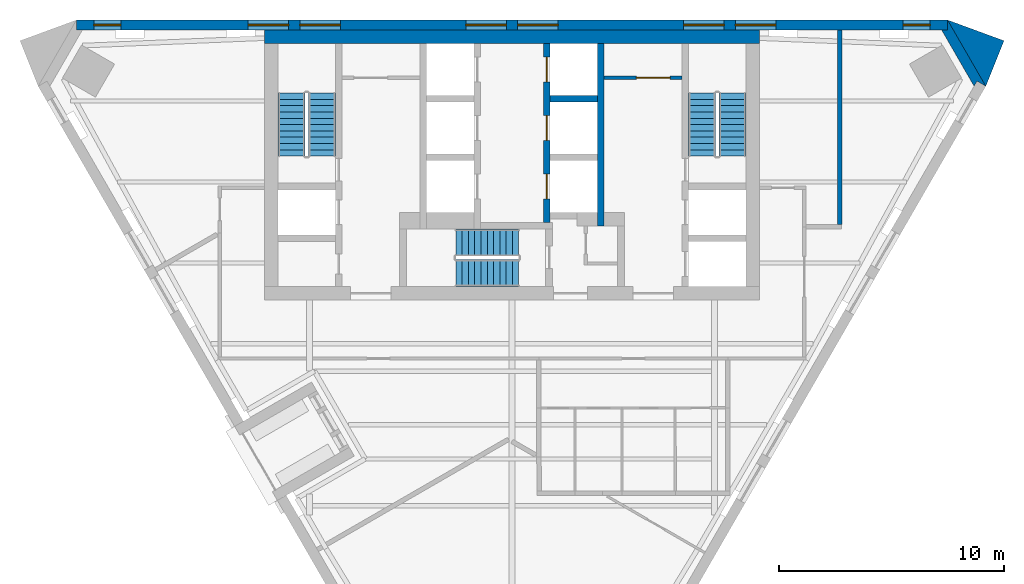
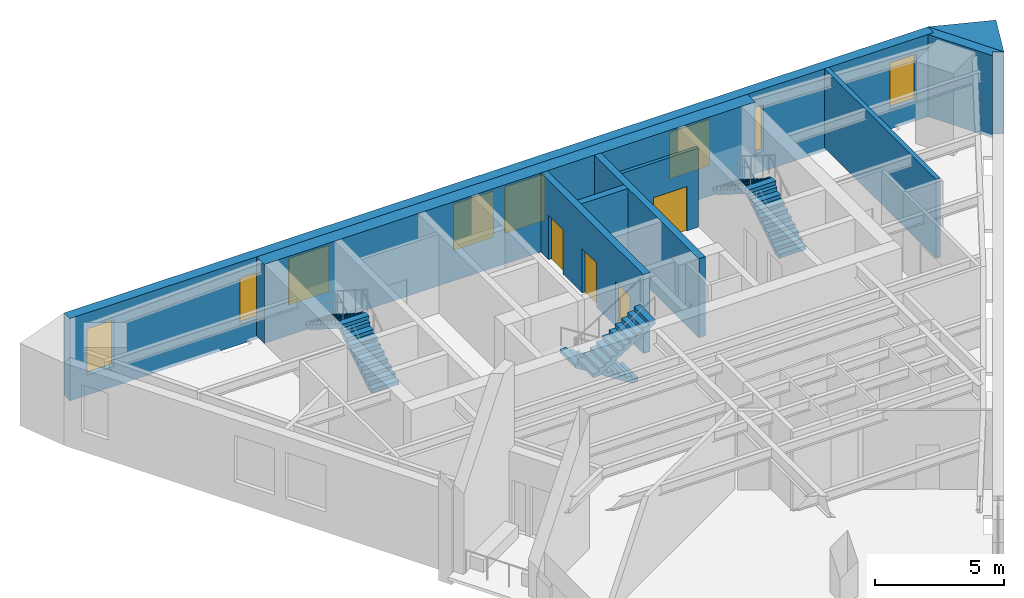
# One storey, part 5 of 6: 9 walls, 8 windows, 6 stair flights, 4 doors, 12 openings, 3 elements without a shape of their own.
"""IFC4 building model written with IfcOpenShell, lengths in metres."""

from ifc_helpers import new_model, si_unit, direction, frame, frame_2d, origin, place, context, subcontext, project, spatial, polyline, rectangle, outline, extrude, material, layer, layer_set, type_object, element, fill, aggregate, save


model = new_model("IFC4")

# Units and contexts
model_context = context("Model", 3, precision=1e-05, world=origin(), true_north=direction((0.0, 1.0)))
body_context = subcontext(model_context, "Body", "Model", "MODEL_VIEW")
ifc_project = project(units=[si_unit("LENGTHUNIT", "METRE"), si_unit("AREAUNIT", "SQUARE_METRE"), si_unit("VOLUMEUNIT", "CUBIC_METRE"), si_unit("PLANEANGLEUNIT", "RADIAN"), si_unit("MASSUNIT", "GRAM", prefix="KILO")], contexts=[model_context])

# Site, building, storey
site_placement = place(None, origin())
site = spatial("IfcSite", under=ifc_project, at=site_placement, CompositionType="ELEMENT")
building_placement = place(site_placement, origin())
building = spatial("IfcBuilding", under=site, at=building_placement, Name="Aloe Facet Convention Tower", CompositionType="ELEMENT")
storey_placement = place(building_placement, frame((0.0, 0.0, 199.699951171875)))
storey = spatial("IfcBuildingStorey", under=building, at=storey_placement, Name="L50", CompositionType="ELEMENT", Elevation=199.699951171875)

# Wall, opening, door
ifc_material_1 = material(Name="Concrete blockwork partition", Category="masonry")
ifc_layer_1 = layer(ifc_material_1, 0.14990234375)
ifc_layer_set_1 = layer_set([ifc_layer_1], Name="CR-W-PART150")
wall_type_1 = type_object("IfcWallType", Name="CR-W-PART150", PredefinedType="PARTITIONING", material=ifc_layer_set_1)
wall_1_placement = place(storey_placement, frame((84.10009765625, 132.425048828125, 0.0), z_axis=(0.0, 0.0, 1.0), x_axis=(1.0, 0.0, 0.0)))
wall_1 = element("IfcWall", 1, at=wall_1_placement, inside=storey, type_object=wall_type_1, Name="Core partition L50-025", PredefinedType="PARTITIONING", context=body_context, shape_type="SweptSolid", body=[
    extrude(rectangle(XDim=3.449951171875, YDim=0.14990234375, at=frame_2d((1.72509765625, 0.0))), origin(), (0.0, 0.0, 1.0), 3.75),
])
opening_1_placement = place(wall_1_placement, frame((1.425048828125, 0.0, 0.0)))
opening_1 = element("IfcOpeningElement", 2, at=opening_1_placement, cuts=wall_1, Name="Opening L50-CD13", PredefinedType="OPENING", context=body_context, shape_type="SweptSolid", body=[
    extrude(rectangle(XDim=1.5, YDim=2.10009765625, at=frame_2d((0.75, 1.050048828125))), frame((0.0, 0.0849609375, 0.0), z_axis=(0.0, -1.0, 0.0), x_axis=(1.0, 0.0, 0.0)), (0.0, 0.0, 1.0), 0.169921875),
])
ifc_material_2 = material(Name="Steel fire-resisting door set FD60", Category="steel")
door_type_1 = type_object("IfcDoorType", Name="CR-D-REFUGE-1500-FD60-DD", OperationType="DOUBLE_DOOR_DOUBLE_SWING", PredefinedType="DOOR", material=ifc_material_2)
door_1_placement = place(opening_1_placement, origin())
door_1 = element("IfcDoor", 3, at=door_1_placement, inside=storey, type_object=door_type_1, Name="Core door L50-CD13", OperationType="DOUBLE_DOOR_DOUBLE_SWING", OverallHeight=2.10009765625, OverallWidth=1.5, PredefinedType="DOOR", context=body_context, shape_type="SweptSolid", body=[
    extrude(rectangle(XDim=1.5, YDim=2.10009765625, at=frame_2d((0.75, 1.050048828125))), frame((0.0, 0.02490234375, 0.0), z_axis=(0.0, -1.0, 0.0), x_axis=(1.0, 0.0, 0.0)), (0.0, 0.0, 1.0), 0.050048828125),
])
fill(opening_1, door_1)

# Wall, openings, doors
ifc_material_3 = material(Name="Concrete C50/60", Category="concrete")
ifc_layer_2 = layer(ifc_material_3, 0.300048828125)
ifc_layer_set_2 = layer_set([ifc_layer_2], Name="CR-W-RC300-C5060")
wall_type_2 = type_object("IfcWallType", Name="CR-W-RC300-C5060", PredefinedType="SOLIDWALL", material=ifc_layer_set_2)
wall_2_placement = place(storey_placement, frame((81.550048828125, 133.949951171875, 0.0), z_axis=(0.0, 0.0, 1.0), x_axis=(0.0, -1.0, 0.0)))
wall_2 = element("IfcWall", 4, at=wall_2_placement, inside=storey, type_object=wall_type_2, Name="Core wall L50-016", PredefinedType="SOLIDWALL", context=body_context, shape_type="SweptSolid", body=[
    extrude(rectangle(XDim=7.949951171875, YDim=0.300048828125, at=frame_2d((3.97509765625, 0.0))), origin(), (0.0, 0.0, 1.0), 3.75),
])
opening_2_placement = place(wall_2_placement, frame((0.60009765625, 0.0, 0.0)))
opening_2 = element("IfcOpeningElement", 5, at=opening_2_placement, cuts=wall_2, Name="Opening LD-B4-L50", PredefinedType="OPENING", context=body_context, shape_type="SweptSolid", body=[
    extrude(rectangle(XDim=1.10009765625, YDim=2.10009765625, at=frame_2d((0.550048828125, 1.050048828125))), frame((0.0, 0.16015625, 0.0), z_axis=(0.0, -1.0, 0.0), x_axis=(1.0, 0.0, 0.0)), (0.0, 0.0, 1.0), 0.320068359375),
])
opening_3_placement = place(wall_2_placement, frame((3.199951171875, 0.0, 0.0)))
opening_3 = element("IfcOpeningElement", 6, at=opening_3_placement, cuts=wall_2, Name="Opening LD-B5-L50", PredefinedType="OPENING", context=body_context, shape_type="SweptSolid", body=[
    extrude(rectangle(XDim=1.10009765625, YDim=2.10009765625, at=frame_2d((0.550048828125, 1.050048828125))), frame((0.0, 0.16015625, 0.0), z_axis=(0.0, -1.0, 0.0), x_axis=(1.0, 0.0, 0.0)), (0.0, 0.0, 1.0), 0.320068359375),
])
opening_4_placement = place(wall_2_placement, frame((5.800048828125, 0.0, 0.0)))
opening_4 = element("IfcOpeningElement", 7, at=opening_4_placement, cuts=wall_2, Name="Opening LD-B6-L50", PredefinedType="OPENING", context=body_context, shape_type="SweptSolid", body=[
    extrude(rectangle(XDim=1.10009765625, YDim=2.10009765625, at=frame_2d((0.550048828125, 1.050048828125))), frame((0.0, 0.16015625, 0.0), z_axis=(0.0, -1.0, 0.0), x_axis=(1.0, 0.0, 0.0)), (0.0, 0.0, 1.0), 0.320068359375),
])
ifc_material_4 = material(Name="Stainless steel sliding landing door", Category="steel")
door_type_2 = type_object("IfcDoorType", Name="CR-LD-1100-FD60-_LEFT", OperationType="SLIDING_TO_LEFT", PredefinedType="DOOR", material=ifc_material_4)
door_2_placement = place(opening_2_placement, origin())
door_2 = element("IfcDoor", 8, at=door_2_placement, inside=storey, type_object=door_type_2, Name="Landing door B4 L50", OperationType="SLIDING_TO_LEFT", OverallHeight=2.10009765625, OverallWidth=1.10009765625, PredefinedType="DOOR", context=body_context, shape_type="SweptSolid", body=[
    extrude(rectangle(XDim=1.10009765625, YDim=2.10009765625, at=frame_2d((0.550048828125, 1.050048828125))), frame((0.0, 0.02490234375, 0.0), z_axis=(0.0, -1.0, 0.0), x_axis=(1.0, 0.0, 0.0)), (0.0, 0.0, 1.0), 0.050048828125),
])
fill(opening_2, door_2)
door_3_placement = place(opening_3_placement, origin())
door_3 = element("IfcDoor", 9, at=door_3_placement, inside=storey, type_object=door_type_2, Name="Landing door B5 L50", OperationType="SLIDING_TO_LEFT", OverallHeight=2.10009765625, OverallWidth=1.10009765625, PredefinedType="DOOR", context=body_context, shape_type="SweptSolid", body=[
    extrude(rectangle(XDim=1.10009765625, YDim=2.10009765625, at=frame_2d((0.550048828125, 1.050048828125))), frame((0.0, 0.02490234375, 0.0), z_axis=(0.0, -1.0, 0.0), x_axis=(1.0, 0.0, 0.0)), (0.0, 0.0, 1.0), 0.050048828125),
])
fill(opening_3, door_3)
door_4_placement = place(opening_4_placement, origin())
door_4 = element("IfcDoor", 10, at=door_4_placement, inside=storey, type_object=door_type_2, Name="Landing door B6 L50", OperationType="SLIDING_TO_LEFT", OverallHeight=2.10009765625, OverallWidth=1.10009765625, PredefinedType="DOOR", context=body_context, shape_type="SweptSolid", body=[
    extrude(rectangle(XDim=1.10009765625, YDim=2.10009765625, at=frame_2d((0.550048828125, 1.050048828125))), frame((0.0, 0.02490234375, 0.0), z_axis=(0.0, -1.0, 0.0), x_axis=(1.0, 0.0, 0.0)), (0.0, 0.0, 1.0), 0.050048828125),
])
fill(opening_4, door_4)

# Walls
wall_3_placement = place(storey_placement, frame((81.699951171875, 131.5, 0.0), z_axis=(0.0, 0.0, 1.0), x_axis=(1.0, 0.0, 0.0)))
element("IfcWall", 11, at=wall_3_placement, inside=storey, type_object=wall_type_2, Name="Core wall L50-018", PredefinedType="SOLIDWALL", context=body_context, shape_type="SweptSolid", body=[
    extrude(rectangle(XDim=2.10009765625, YDim=0.300048828125, at=frame_2d((1.050048828125, 0.0))), origin(), (0.0, 0.0, 1.0), 3.75),
])
wall_4_placement = place(storey_placement, frame((83.949951171875, 133.949951171875, 0.0), z_axis=(0.0, 0.0, 1.0), x_axis=(0.0, -1.0, 0.0)))
element("IfcWall", 12, at=wall_4_placement, inside=storey, type_object=wall_type_2, Name="Core wall L50-024", PredefinedType="SOLIDWALL", context=body_context, shape_type="SweptSolid", body=[
    extrude(rectangle(XDim=8.099853515625, YDim=0.300048828125, at=frame_2d((4.0498046875, 0.0))), origin(), (0.0, 0.0, 1.0), 3.75),
])
ifc_material_5 = material(Name="Concrete C50/60", Category="concrete")
ifc_layer_3 = layer(ifc_material_5, 0.60009765625)
ifc_layer_set_3 = layer_set([ifc_layer_3], Name="CR-W-RC600-C5060")
wall_type_3 = type_object("IfcWallType", Name="CR-W-RC600-C5060", PredefinedType="SOLIDWALL", material=ifc_layer_set_3)
wall_5_placement = place(storey_placement, frame((69.0, 134.25, 0.0), z_axis=(0.0, 0.0, 1.0), x_axis=(1.0, 0.0, 0.0)))
element("IfcWall", 13, at=wall_5_placement, inside=storey, type_object=wall_type_3, Name="Core wall L50-001", PredefinedType="SOLIDWALL", context=body_context, shape_type="SweptSolid", body=[
    extrude(rectangle(XDim=22.0, YDim=0.60009765625, at=frame_2d((11.0, 0.0))), origin(), (0.0, 0.0, 1.0), 3.75),
])
ifc_material_6 = material(Name="Precast concrete C40/50", Category="concrete")
ifc_layer_4 = layer(ifc_material_6, 0.449951171875)
ifc_layer_set_4 = layer_set([ifc_layer_4], Name="EV-WALL-PIER")
wall_type_4 = type_object("IfcWallType", Name="EV-WALL-PIER", PredefinedType="SOLIDWALL", material=ifc_layer_set_4)
wall_6_placement = place(storey_placement, frame((0.0, 0.0, -0.14990234375)))
element("IfcWall", 14, at=wall_6_placement, inside=storey, type_object=wall_type_4, Name="EP-L50-C", PredefinedType="SOLIDWALL", context=body_context, shape_type="SweptSolid", body=[
    extrude(outline(polyline([(101.064697265625, 132.055419921875), (100.6748046875, 132.280517578125), (100.544921875, 132.055419921875), (99.104736328125, 134.550048828125), (99.364501953125, 134.550048828125), (99.364501953125, 135.0), (101.064697265625, 132.055419921875)])), origin(), (0.0, 0.0, 1.0), 3.89990234375),
])
ifc_material_7 = material(Name="Precast concrete C40/50", Category="concrete")
ifc_layer_5 = layer(ifc_material_7, 3.947998046875)
ifc_layer_set_5 = layer_set([ifc_layer_5], Name="EV-WALL-SPINE")
wall_type_5 = type_object("IfcWallType", Name="EV-WALL-SPINE", PredefinedType="SOLIDWALL", material=ifc_layer_set_5)
wall_7_placement = place(storey_placement, frame((0.0, 0.0, -0.14990234375)))
element("IfcWall", 15, at=wall_7_placement, inside=storey, type_object=wall_type_5, Name="SP-NE-L50", PredefinedType="SOLIDWALL", context=body_context, shape_type="SweptSolid", body=[
    extrude(outline(polyline([(101.064697265625, 132.055419921875), (101.8740234375, 134.0791015625), (99.364501953125, 135.0), (101.064697265625, 132.055419921875)])), origin(), (0.0, 0.0, 1.0), 3.89990234375),
])

# Wall, openings, windows
ifc_material_8 = material(Name="Precast concrete C40/50", Category="concrete")
ifc_layer_6 = layer(ifc_material_8, 0.449951171875)
ifc_layer_set_6 = layer_set([ifc_layer_6], Name="EV-WALL-STONE")
wall_type_6 = type_object("IfcWallType", Name="EV-WALL-STONE", PredefinedType="SOLIDWALL", material=ifc_layer_set_6)
wall_8_placement = place(storey_placement, frame((99.364501953125, 134.77490234375, -0.14990234375), z_axis=(0.0, 0.0, 1.0), x_axis=(-1.0, 0.0, 0.0)))
wall_8 = element("IfcWall", 16, at=wall_8_placement, inside=storey, type_object=wall_type_6, Name="EW-L50-N01", PredefinedType="SOLIDWALL", context=body_context, shape_type="SweptSolid", body=[
    extrude(outline(polyline([(38.729248046875, 0.0), (38.729248046875, 3.89990234375), (0.0, 3.89990234375), (0.0, 0.0), (38.729248046875, 0.0)])), frame((0.0, 0.22509765625, 0.0), z_axis=(0.0, -1.0, 0.0), x_axis=(1.0, 0.0, 0.0)), (0.0, 0.0, 1.0), 0.449951171875),
])
opening_5_placement = place(wall_8_placement, frame((0.776123046875, 0.0, 0.949951171875)))
opening_5 = element("IfcOpeningElement", 17, at=opening_5_placement, cuts=wall_8, Name="Opening W-L50-N01", PredefinedType="OPENING", context=body_context, shape_type="SweptSolid", body=[
    extrude(rectangle(XDim=1.199951171875, YDim=2.199951171875, at=frame_2d((0.60009765625, 1.10009765625))), frame((0.0, 0.23486328125, 0.0), z_axis=(0.0, -1.0, 0.0), x_axis=(1.0, 0.0, 0.0)), (0.0, 0.0, 1.0), 0.469970703125),
])
opening_6_placement = place(wall_8_placement, frame((7.63232421875, 0.0, 0.949951171875)))
opening_6 = element("IfcOpeningElement", 18, at=opening_6_placement, cuts=wall_8, Name="Opening W-L50-N02", PredefinedType="OPENING", context=body_context, shape_type="SweptSolid", body=[
    extrude(rectangle(XDim=1.800048828125, YDim=2.199951171875, at=frame_2d((0.89990234375, 1.10009765625))), frame((0.0, 0.23486328125, 0.0), z_axis=(0.0, -1.0, 0.0), x_axis=(1.0, 0.0, 0.0)), (0.0, 0.0, 1.0), 0.469970703125),
])
opening_7_placement = place(wall_8_placement, frame((9.932373046875, 0.0, 0.949951171875)))
opening_7 = element("IfcOpeningElement", 19, at=opening_7_placement, cuts=wall_8, Name="Opening W-L50-N03", PredefinedType="OPENING", context=body_context, shape_type="SweptSolid", body=[
    extrude(rectangle(XDim=1.800048828125, YDim=2.199951171875, at=frame_2d((0.89990234375, 1.10009765625))), frame((0.0, 0.23486328125, 0.0), z_axis=(0.0, -1.0, 0.0), x_axis=(1.0, 0.0, 0.0)), (0.0, 0.0, 1.0), 0.469970703125),
])
opening_8_placement = place(wall_8_placement, frame((17.314697265625, 0.0, 0.949951171875)))
opening_8 = element("IfcOpeningElement", 20, at=opening_8_placement, cuts=wall_8, Name="Opening W-L50-N04", PredefinedType="OPENING", context=body_context, shape_type="SweptSolid", body=[
    extrude(rectangle(XDim=1.800048828125, YDim=2.199951171875, at=frame_2d((0.89990234375, 1.10009765625))), frame((0.0, 0.23486328125, 0.0), z_axis=(0.0, -1.0, 0.0), x_axis=(1.0, 0.0, 0.0)), (0.0, 0.0, 1.0), 0.469970703125),
])
opening_9_placement = place(wall_8_placement, frame((19.614501953125, 0.0, 0.949951171875)))
opening_9 = element("IfcOpeningElement", 21, at=opening_9_placement, cuts=wall_8, Name="Opening W-L50-N05", PredefinedType="OPENING", context=body_context, shape_type="SweptSolid", body=[
    extrude(rectangle(XDim=1.800048828125, YDim=2.199951171875, at=frame_2d((0.89990234375, 1.10009765625))), frame((0.0, 0.23486328125, 0.0), z_axis=(0.0, -1.0, 0.0), x_axis=(1.0, 0.0, 0.0)), (0.0, 0.0, 1.0), 0.469970703125),
])
opening_10_placement = place(wall_8_placement, frame((26.996826171875, 0.0, 0.949951171875)))
opening_10 = element("IfcOpeningElement", 22, at=opening_10_placement, cuts=wall_8, Name="Opening W-L50-N06", PredefinedType="OPENING", context=body_context, shape_type="SweptSolid", body=[
    extrude(rectangle(XDim=1.800048828125, YDim=2.199951171875, at=frame_2d((0.89990234375, 1.10009765625))), frame((0.0, 0.23486328125, 0.0), z_axis=(0.0, -1.0, 0.0), x_axis=(1.0, 0.0, 0.0)), (0.0, 0.0, 1.0), 0.469970703125),
])
opening_11_placement = place(wall_8_placement, frame((29.296875, 0.0, 0.949951171875)))
opening_11 = element("IfcOpeningElement", 23, at=opening_11_placement, cuts=wall_8, Name="Opening W-L50-N07", PredefinedType="OPENING", context=body_context, shape_type="SweptSolid", body=[
    extrude(rectangle(XDim=1.800048828125, YDim=2.199951171875, at=frame_2d((0.89990234375, 1.10009765625))), frame((0.0, 0.23486328125, 0.0), z_axis=(0.0, -1.0, 0.0), x_axis=(1.0, 0.0, 0.0)), (0.0, 0.0, 1.0), 0.469970703125),
])
opening_12_placement = place(wall_8_placement, frame((36.753173828125, 0.0, 0.949951171875)))
opening_12 = element("IfcOpeningElement", 24, at=opening_12_placement, cuts=wall_8, Name="Opening W-L50-N08", PredefinedType="OPENING", context=body_context, shape_type="SweptSolid", body=[
    extrude(rectangle(XDim=1.199951171875, YDim=2.199951171875, at=frame_2d((0.60009765625, 1.10009765625))), frame((0.0, 0.23486328125, 0.0), z_axis=(0.0, -1.0, 0.0), x_axis=(1.0, 0.0, 0.0)), (0.0, 0.0, 1.0), 0.469970703125),
])
ifc_material_9 = material(Name="Aluminium frame, clear double glazing", Category="aluminium")
window_type_1 = type_object("IfcWindowType", Name="EV-WIN-O12", PartitioningType="SINGLE_PANEL", PredefinedType="WINDOW", material=ifc_material_9)
window_1_placement = place(opening_5_placement, origin())
window_1 = element("IfcWindow", 25, at=window_1_placement, inside=storey, type_object=window_type_1, Name="W-L50-N01", OverallHeight=2.199951171875, OverallWidth=1.199951171875, PartitioningType="SINGLE_PANEL", PredefinedType="WINDOW", context=body_context, shape_type="SweptSolid", body=[
    extrude(rectangle(XDim=1.199951171875, YDim=2.199951171875, at=frame_2d((0.60009765625, 1.10009765625))), frame((0.0, 0.030029296875, 0.0), z_axis=(0.0, -1.0, 0.0), x_axis=(1.0, 0.0, 0.0)), (0.0, 0.0, 1.0), 0.06005859375),
])
fill(opening_5, window_1)
window_2_placement = place(opening_12_placement, origin())
window_2 = element("IfcWindow", 26, at=window_2_placement, inside=storey, type_object=window_type_1, Name="W-L50-N08", OverallHeight=2.199951171875, OverallWidth=1.199951171875, PartitioningType="SINGLE_PANEL", PredefinedType="WINDOW", context=body_context, shape_type="SweptSolid", body=[
    extrude(rectangle(XDim=1.199951171875, YDim=2.199951171875, at=frame_2d((0.60009765625, 1.10009765625))), frame((0.0, 0.030029296875, 0.0), z_axis=(0.0, -1.0, 0.0), x_axis=(1.0, 0.0, 0.0)), (0.0, 0.0, 1.0), 0.06005859375),
])
fill(opening_12, window_2)
ifc_material_10 = material(Name="Aluminium frame, clear double glazing", Category="aluminium")
window_type_2 = type_object("IfcWindowType", Name="EV-WIN-O18", PartitioningType="SINGLE_PANEL", PredefinedType="WINDOW", material=ifc_material_10)
window_3_placement = place(opening_6_placement, origin())
window_3 = element("IfcWindow", 27, at=window_3_placement, inside=storey, type_object=window_type_2, Name="W-L50-N02", OverallHeight=2.199951171875, OverallWidth=1.800048828125, PartitioningType="SINGLE_PANEL", PredefinedType="WINDOW", context=body_context, shape_type="SweptSolid", body=[
    extrude(rectangle(XDim=1.800048828125, YDim=2.199951171875, at=frame_2d((0.89990234375, 1.10009765625))), frame((0.0, 0.030029296875, 0.0), z_axis=(0.0, -1.0, 0.0), x_axis=(1.0, 0.0, 0.0)), (0.0, 0.0, 1.0), 0.06005859375),
])
fill(opening_6, window_3)
window_4_placement = place(opening_7_placement, origin())
window_4 = element("IfcWindow", 28, at=window_4_placement, inside=storey, type_object=window_type_2, Name="W-L50-N03", OverallHeight=2.199951171875, OverallWidth=1.800048828125, PartitioningType="SINGLE_PANEL", PredefinedType="WINDOW", context=body_context, shape_type="SweptSolid", body=[
    extrude(rectangle(XDim=1.800048828125, YDim=2.199951171875, at=frame_2d((0.89990234375, 1.10009765625))), frame((0.0, 0.030029296875, 0.0), z_axis=(0.0, -1.0, 0.0), x_axis=(1.0, 0.0, 0.0)), (0.0, 0.0, 1.0), 0.06005859375),
])
fill(opening_7, window_4)
window_5_placement = place(opening_8_placement, origin())
window_5 = element("IfcWindow", 29, at=window_5_placement, inside=storey, type_object=window_type_2, Name="W-L50-N04", OverallHeight=2.199951171875, OverallWidth=1.800048828125, PartitioningType="SINGLE_PANEL", PredefinedType="WINDOW", context=body_context, shape_type="SweptSolid", body=[
    extrude(rectangle(XDim=1.800048828125, YDim=2.199951171875, at=frame_2d((0.89990234375, 1.10009765625))), frame((0.0, 0.030029296875, 0.0), z_axis=(0.0, -1.0, 0.0), x_axis=(1.0, 0.0, 0.0)), (0.0, 0.0, 1.0), 0.06005859375),
])
fill(opening_8, window_5)
window_6_placement = place(opening_9_placement, origin())
window_6 = element("IfcWindow", 30, at=window_6_placement, inside=storey, type_object=window_type_2, Name="W-L50-N05", OverallHeight=2.199951171875, OverallWidth=1.800048828125, PartitioningType="SINGLE_PANEL", PredefinedType="WINDOW", context=body_context, shape_type="SweptSolid", body=[
    extrude(rectangle(XDim=1.800048828125, YDim=2.199951171875, at=frame_2d((0.89990234375, 1.10009765625))), frame((0.0, 0.030029296875, 0.0), z_axis=(0.0, -1.0, 0.0), x_axis=(1.0, 0.0, 0.0)), (0.0, 0.0, 1.0), 0.06005859375),
])
fill(opening_9, window_6)
window_7_placement = place(opening_10_placement, origin())
window_7 = element("IfcWindow", 31, at=window_7_placement, inside=storey, type_object=window_type_2, Name="W-L50-N06", OverallHeight=2.199951171875, OverallWidth=1.800048828125, PartitioningType="SINGLE_PANEL", PredefinedType="WINDOW", context=body_context, shape_type="SweptSolid", body=[
    extrude(rectangle(XDim=1.800048828125, YDim=2.199951171875, at=frame_2d((0.89990234375, 1.10009765625))), frame((0.0, 0.030029296875, 0.0), z_axis=(0.0, -1.0, 0.0), x_axis=(1.0, 0.0, 0.0)), (0.0, 0.0, 1.0), 0.06005859375),
])
fill(opening_10, window_7)
window_8_placement = place(opening_11_placement, origin())
window_8 = element("IfcWindow", 32, at=window_8_placement, inside=storey, type_object=window_type_2, Name="W-L50-N07", OverallHeight=2.199951171875, OverallWidth=1.800048828125, PartitioningType="SINGLE_PANEL", PredefinedType="WINDOW", context=body_context, shape_type="SweptSolid", body=[
    extrude(rectangle(XDim=1.800048828125, YDim=2.199951171875, at=frame_2d((0.89990234375, 1.10009765625))), frame((0.0, 0.030029296875, 0.0), z_axis=(0.0, -1.0, 0.0), x_axis=(1.0, 0.0, 0.0)), (0.0, 0.0, 1.0), 0.06005859375),
])
fill(opening_11, window_8)

# Wall
ifc_material_11 = material(Name="Gypsum board partition on steel studs", Category="steel")
ifc_layer_7 = layer(ifc_material_11, 0.199951171875)
ifc_layer_set_7 = layer_set([ifc_layer_7], Name="IN-W-PARTY")
wall_type_7 = type_object("IfcWallType", Name="IN-W-PARTY", PredefinedType="PARTITIONING", material=ifc_layer_set_7)
wall_9_placement = place(storey_placement, frame((94.560546875, 125.89990234375, 0.0), z_axis=(0.0, 0.0, 1.0), x_axis=(0.0, 1.0, 0.0)))
element("IfcWall", 33, at=wall_9_placement, inside=storey, type_object=wall_type_7, Name="Partition L50-W029", PredefinedType="PARTITIONING", context=body_context, shape_type="SweptSolid", body=[
    extrude(rectangle(XDim=8.650146484375, YDim=0.199951171875, at=frame_2d((4.3251953125, 0.0))), origin(), (0.0, 0.0, 1.0), 3.75),
])

# Stair, stair flights
ifc_material_12 = material(Name="Concrete C50/60", Category="concrete")
stair_type = type_object("IfcStairType", Name="CR-ST-22R", PredefinedType="HALF_TURN_STAIR", material=ifc_material_12)
stair_1_placement = place(storey_placement, origin())
stair_1 = element("IfcStair", 34, at=stair_1_placement, inside=storey, type_object=stair_type, Name="L50 Protected exit stair ST1", PredefinedType="HALF_TURN_STAIR")
ifc_material_13 = material(Name="Concrete C50/60", Category="concrete")
stair_flight_type = type_object("IfcStairFlightType", Name="CR-SFL-22R", PredefinedType="STRAIGHT", material=ifc_material_13)
stair_flight_1_placement = place(storey_placement, frame((71.550048828125, 128.949951171875, 0.0), z_axis=(0.0, 0.0, 1.0), x_axis=(0.0, 1.0, 0.0)))
stair_flight_1 = element("IfcStairFlight", 35, at=stair_flight_1_placement, type_object=stair_flight_type, Name="ST1 flight 1", NumberOfRisers=11, NumberOfTreads=10, PredefinedType="STRAIGHT", RiserHeight=0.177272727, TreadLength=0.28, context=body_context, shape_type="SweptSolid", body=[
    extrude(outline(polyline([(0.0, 0.0), (0.0, 0.17724609375), (0.280029296875, 0.17724609375), (0.280029296875, 0.3544921875), (0.56005859375, 0.3544921875), (0.56005859375, 0.53173828125), (0.840087890625, 0.53173828125), (0.840087890625, 0.708984375), (1.1201171875, 0.708984375), (1.1201171875, 0.886474609375), (1.39990234375, 0.886474609375), (1.39990234375, 1.063720703125), (1.679931640625, 1.063720703125), (1.679931640625, 1.240966796875), (1.9599609375, 1.240966796875), (1.9599609375, 1.418212890625), (2.239990234375, 1.418212890625), (2.239990234375, 1.595458984375), (2.52001953125, 1.595458984375), (2.52001953125, 1.772705078125), (2.800048828125, 1.772705078125), (2.800048828125, 1.949951171875), (2.800048828125, 1.59521484375), (0.2802734375, 0.0), (0.0, 0.0)])), frame((0.0, 0.60009765625, 0.0), z_axis=(0.0, -1.0, 0.0), x_axis=(1.0, 0.0, 0.0)), (0.0, 0.0, 1.0), 1.199951171875),
])
stair_flight_2_placement = place(storey_placement, frame((70.199951171875, 131.75, 1.949951171875), z_axis=(0.0, 0.0, 1.0), x_axis=(0.0, -1.0, 0.0)))
stair_flight_2 = element("IfcStairFlight", 36, at=stair_flight_2_placement, type_object=stair_flight_type, Name="ST1 flight 2", NumberOfRisers=11, NumberOfTreads=10, PredefinedType="STRAIGHT", RiserHeight=0.177272727, TreadLength=0.28, context=body_context, shape_type="SweptSolid", body=[
    extrude(outline(polyline([(0.0, 0.0), (0.0, 0.17724609375), (0.280029296875, 0.17724609375), (0.280029296875, 0.3544921875), (0.56005859375, 0.3544921875), (0.56005859375, 0.53173828125), (0.840087890625, 0.53173828125), (0.840087890625, 0.708984375), (1.1201171875, 0.708984375), (1.1201171875, 0.886474609375), (1.39990234375, 0.886474609375), (1.39990234375, 1.063720703125), (1.679931640625, 1.063720703125), (1.679931640625, 1.240966796875), (1.9599609375, 1.240966796875), (1.9599609375, 1.418212890625), (2.239990234375, 1.418212890625), (2.239990234375, 1.595458984375), (2.52001953125, 1.595458984375), (2.52001953125, 1.772705078125), (2.800048828125, 1.772705078125), (2.800048828125, 1.949951171875), (2.800048828125, 1.59521484375), (0.2802734375, 0.0), (0.0, 0.0)])), frame((0.0, 0.60009765625, 0.0), z_axis=(0.0, -1.0, 0.0), x_axis=(1.0, 0.0, 0.0)), (0.0, 0.0, 1.0), 1.199951171875),
])
aggregate(stair_1, [stair_flight_1, stair_flight_2])

stair_2_placement = place(storey_placement, origin())
stair_2 = element("IfcStair", 37, at=stair_2_placement, inside=storey, type_object=stair_type, Name="L50 Protected exit stair ST2", PredefinedType="HALF_TURN_STAIR")
stair_flight_3_placement = place(storey_placement, frame((89.800048828125, 128.949951171875, 0.0), z_axis=(0.0, 0.0, 1.0), x_axis=(0.0, 1.0, 0.0)))
stair_flight_3 = element("IfcStairFlight", 38, at=stair_flight_3_placement, type_object=stair_flight_type, Name="ST2 flight 1", NumberOfRisers=11, NumberOfTreads=10, PredefinedType="STRAIGHT", RiserHeight=0.177272727, TreadLength=0.28, context=body_context, shape_type="SweptSolid", body=[
    extrude(outline(polyline([(0.0, 0.0), (0.0, 0.17724609375), (0.280029296875, 0.17724609375), (0.280029296875, 0.3544921875), (0.56005859375, 0.3544921875), (0.56005859375, 0.53173828125), (0.840087890625, 0.53173828125), (0.840087890625, 0.708984375), (1.1201171875, 0.708984375), (1.1201171875, 0.886474609375), (1.39990234375, 0.886474609375), (1.39990234375, 1.063720703125), (1.679931640625, 1.063720703125), (1.679931640625, 1.240966796875), (1.9599609375, 1.240966796875), (1.9599609375, 1.418212890625), (2.239990234375, 1.418212890625), (2.239990234375, 1.595458984375), (2.52001953125, 1.595458984375), (2.52001953125, 1.772705078125), (2.800048828125, 1.772705078125), (2.800048828125, 1.949951171875), (2.800048828125, 1.59521484375), (0.2802734375, 0.0), (0.0, 0.0)])), frame((0.0, 0.60009765625, 0.0), z_axis=(0.0, -1.0, 0.0), x_axis=(1.0, 0.0, 0.0)), (0.0, 0.0, 1.0), 1.199951171875),
])
stair_flight_4_placement = place(storey_placement, frame((88.449951171875, 131.75, 1.949951171875), z_axis=(0.0, 0.0, 1.0), x_axis=(0.0, -1.0, 0.0)))
stair_flight_4 = element("IfcStairFlight", 39, at=stair_flight_4_placement, type_object=stair_flight_type, Name="ST2 flight 2", NumberOfRisers=11, NumberOfTreads=10, PredefinedType="STRAIGHT", RiserHeight=0.177272727, TreadLength=0.28, context=body_context, shape_type="SweptSolid", body=[
    extrude(outline(polyline([(0.0, 0.0), (0.0, 0.17724609375), (0.280029296875, 0.17724609375), (0.280029296875, 0.3544921875), (0.56005859375, 0.3544921875), (0.56005859375, 0.53173828125), (0.840087890625, 0.53173828125), (0.840087890625, 0.708984375), (1.1201171875, 0.708984375), (1.1201171875, 0.886474609375), (1.39990234375, 0.886474609375), (1.39990234375, 1.063720703125), (1.679931640625, 1.063720703125), (1.679931640625, 1.240966796875), (1.9599609375, 1.240966796875), (1.9599609375, 1.418212890625), (2.239990234375, 1.418212890625), (2.239990234375, 1.595458984375), (2.52001953125, 1.595458984375), (2.52001953125, 1.772705078125), (2.800048828125, 1.772705078125), (2.800048828125, 1.949951171875), (2.800048828125, 1.59521484375), (0.2802734375, 0.0), (0.0, 0.0)])), frame((0.0, 0.60009765625, 0.0), z_axis=(0.0, -1.0, 0.0), x_axis=(1.0, 0.0, 0.0)), (0.0, 0.0, 1.0), 1.199951171875),
])
aggregate(stair_2, [stair_flight_3, stair_flight_4])

stair_3_placement = place(storey_placement, origin())
stair_3 = element("IfcStair", 40, at=stair_3_placement, inside=storey, type_object=stair_type, Name="L50 Protected exit stair ST3", PredefinedType="HALF_TURN_STAIR")
stair_flight_5_placement = place(storey_placement, frame((80.300048828125, 125.10009765625, 0.0), z_axis=(0.0, 0.0, 1.0), x_axis=(-1.0, 0.0, 0.0)))
stair_flight_5 = element("IfcStairFlight", 41, at=stair_flight_5_placement, type_object=stair_flight_type, Name="ST3 flight 1", NumberOfRisers=11, NumberOfTreads=10, PredefinedType="STRAIGHT", RiserHeight=0.177272727, TreadLength=0.28, context=body_context, shape_type="SweptSolid", body=[
    extrude(outline(polyline([(0.0, 0.0), (0.0, 0.17724609375), (0.280029296875, 0.17724609375), (0.280029296875, 0.3544921875), (0.56005859375, 0.3544921875), (0.56005859375, 0.53173828125), (0.840087890625, 0.53173828125), (0.840087890625, 0.708984375), (1.1201171875, 0.708984375), (1.1201171875, 0.886474609375), (1.39990234375, 0.886474609375), (1.39990234375, 1.063720703125), (1.679931640625, 1.063720703125), (1.679931640625, 1.240966796875), (1.9599609375, 1.240966796875), (1.9599609375, 1.418212890625), (2.239990234375, 1.418212890625), (2.239990234375, 1.595458984375), (2.52001953125, 1.595458984375), (2.52001953125, 1.772705078125), (2.800048828125, 1.772705078125), (2.800048828125, 1.949951171875), (2.800048828125, 1.59521484375), (0.2802734375, 0.0), (0.0, 0.0)])), frame((0.0, 0.60009765625, 0.0), z_axis=(0.0, -1.0, 0.0), x_axis=(1.0, 0.0, 0.0)), (0.0, 0.0, 1.0), 1.199951171875),
])
stair_flight_6_placement = place(storey_placement, frame((77.5, 123.75, 1.949951171875), z_axis=(0.0, 0.0, 1.0), x_axis=(1.0, 0.0, 0.0)))
stair_flight_6 = element("IfcStairFlight", 42, at=stair_flight_6_placement, type_object=stair_flight_type, Name="ST3 flight 2", NumberOfRisers=11, NumberOfTreads=10, PredefinedType="STRAIGHT", RiserHeight=0.177272727, TreadLength=0.28, context=body_context, shape_type="SweptSolid", body=[
    extrude(outline(polyline([(0.0, 0.0), (0.0, 0.17724609375), (0.280029296875, 0.17724609375), (0.280029296875, 0.3544921875), (0.56005859375, 0.3544921875), (0.56005859375, 0.53173828125), (0.840087890625, 0.53173828125), (0.840087890625, 0.708984375), (1.1201171875, 0.708984375), (1.1201171875, 0.886474609375), (1.39990234375, 0.886474609375), (1.39990234375, 1.063720703125), (1.679931640625, 1.063720703125), (1.679931640625, 1.240966796875), (1.9599609375, 1.240966796875), (1.9599609375, 1.418212890625), (2.239990234375, 1.418212890625), (2.239990234375, 1.595458984375), (2.52001953125, 1.595458984375), (2.52001953125, 1.772705078125), (2.800048828125, 1.772705078125), (2.800048828125, 1.949951171875), (2.800048828125, 1.59521484375), (0.2802734375, 0.0), (0.0, 0.0)])), frame((0.0, 0.60009765625, 0.0), z_axis=(0.0, -1.0, 0.0), x_axis=(1.0, 0.0, 0.0)), (0.0, 0.0, 1.0), 1.199951171875),
])
aggregate(stair_3, [stair_flight_5, stair_flight_6])

save(model, "model.ifc")
